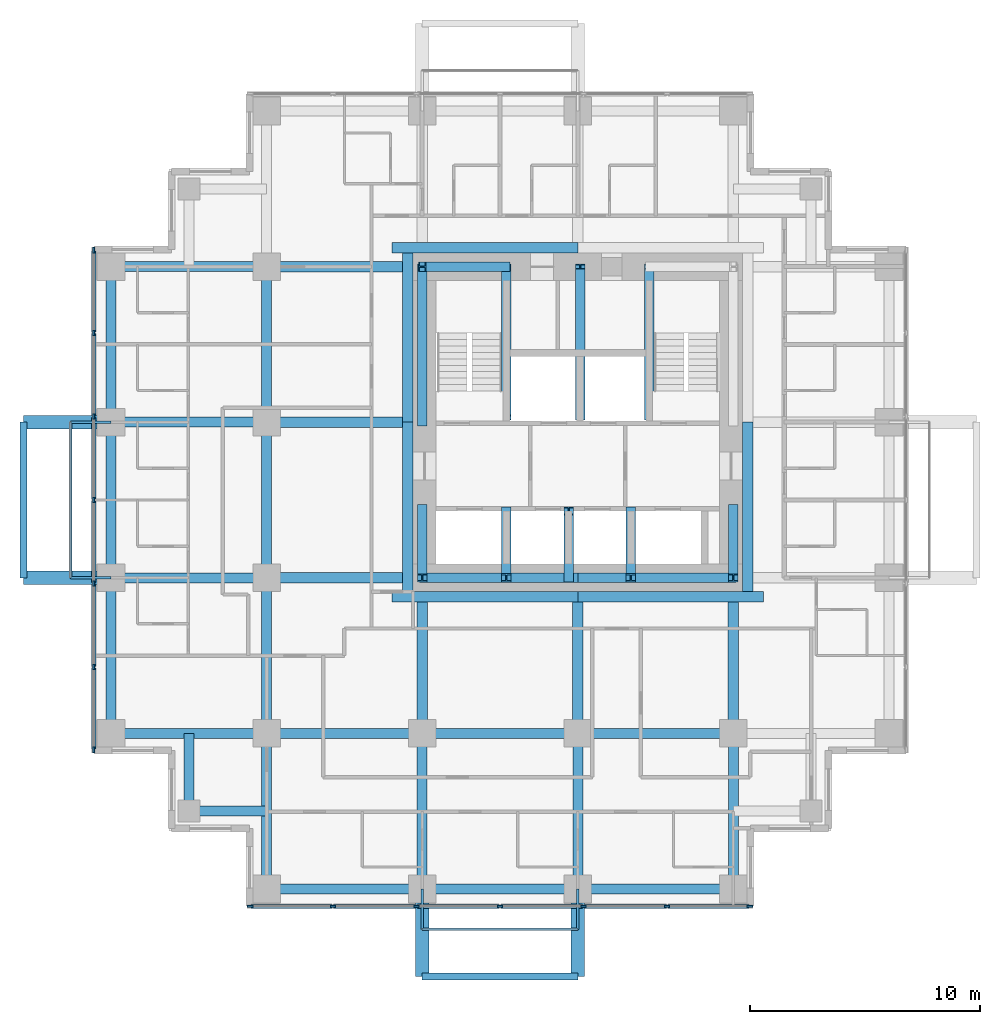
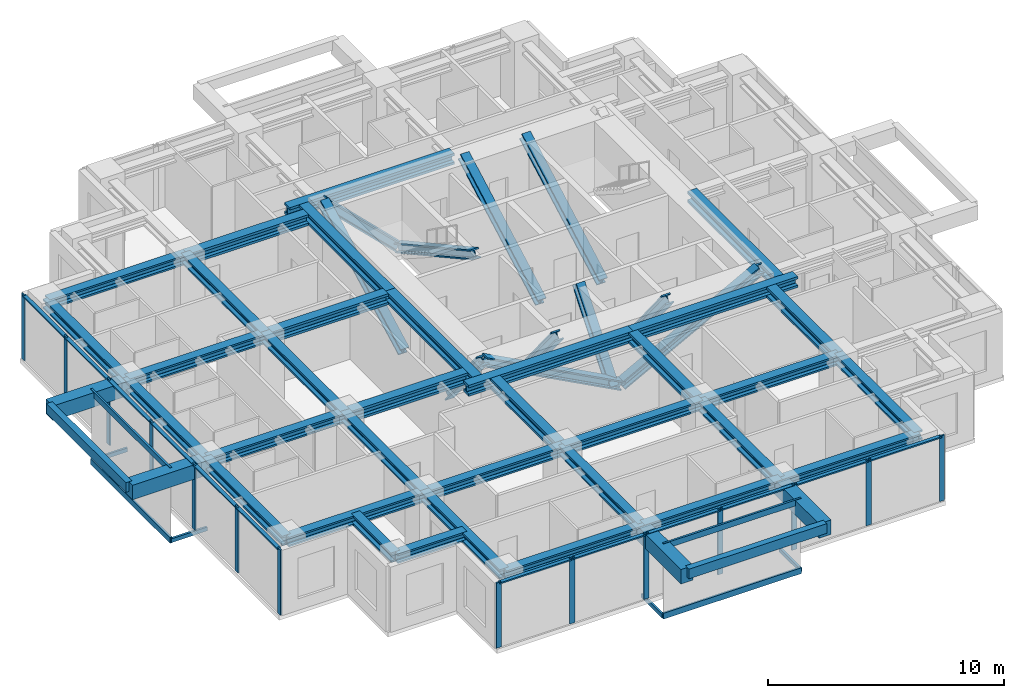
# One storey, part 2 of 10: 46 members, 40 beams, 2 elements without a shape of their own.
"""IFC4 building model written with IfcOpenShell, lengths in metres."""

from ifc_helpers import new_model, si_unit, direction, frame, origin, origin_2d, place, context, subcontext, project, spatial, rectangle, hollow_rectangle, i_section, extrude, material, material_profile, profile_set, type_object, element, aggregate, save


model = new_model("IFC4")

# Units and contexts
model_context = context("Model", 3, precision=1e-05, world=origin(), true_north=direction((0.0, 1.0)))
body_context = subcontext(model_context, "Body", "Model", "MODEL_VIEW")
ifc_project = project(units=[si_unit("LENGTHUNIT", "METRE"), si_unit("AREAUNIT", "SQUARE_METRE"), si_unit("VOLUMEUNIT", "CUBIC_METRE"), si_unit("PLANEANGLEUNIT", "RADIAN"), si_unit("MASSUNIT", "GRAM", prefix="KILO")], contexts=[model_context])

# Site, building, storey
site_placement = place(None, origin())
site = spatial("IfcSite", under=ifc_project, at=site_placement, CompositionType="ELEMENT")
building_placement = place(site_placement, origin())
building = spatial("IfcBuilding", under=site, at=building_placement, Name="Nyansa Garden Tower", CompositionType="ELEMENT")
storey_placement = place(building_placement, frame((0.0, 0.0, 181.800048828125)))
storey = spatial("IfcBuildingStorey", under=building, at=storey_placement, Name="L49", CompositionType="ELEMENT", Elevation=181.800048828125)

# Beams
ifc_material_1 = material(Name="Concrete C70/85", Category="concrete")
ifc_material_profile_1 = material_profile(ifc_material_1, rectangle(XDim=0.60009765625, YDim=0.75, at=origin_2d()), Name="RC 600x750")
ifc_profile_set_1 = profile_set([ifc_material_profile_1], Name="Concrete C70/85")
beam_type_1 = type_object("IfcBeamType", Name="Balcony cantilever beam CB1 RC 600x750", PredefinedType="BEAM", material=ifc_profile_set_1)
for number, where, z_axis, x_axis, name in (
    (1, (13.5, 0.0, 2.98486328125), (0.0, -1.0, 0.0), (1.0, 0.0, 0.0), "Balcony cantilever beam L50"),
    (2, (20.25, 0.0, 2.98486328125), (0.0, -1.0, 0.0), (1.0, 0.0, 0.0), "Balcony cantilever beam L50"),
    (3, (0.0, 13.5, 2.98486328125), (-1.0, 0.0, 0.0), (0.0, -1.0, 0.0), "Balcony cantilever beam L50"),
    (4, (0.0, 20.25, 2.98486328125), (-1.0, 0.0, 0.0), (0.0, -1.0, 0.0), "Balcony cantilever beam L50"),
):
    element("IfcBeam", number, at=place(storey_placement, frame(where, z_axis=z_axis, x_axis=x_axis)), inside=storey, type_object=beam_type_1, Name=name, PredefinedType="BEAM", context=body_context, shape_type="SweptSolid", body=[
        extrude(rectangle(XDim=0.60009765625, YDim=0.75, at=origin_2d()), origin(), (0.0, 0.0, 1.0), 3.800048828125),
    ])
ifc_material_2 = material(Name="Concrete C70/85", Category="concrete")
ifc_material_profile_2 = material_profile(ifc_material_2, rectangle(XDim=0.300048828125, YDim=0.5, at=origin_2d()), Name="RC 300x500")
ifc_profile_set_2 = profile_set([ifc_material_profile_2], Name="Concrete C70/85")
beam_type_2 = type_object("IfcBeamType", Name="Balcony edge beam BE1 RC 300x500", PredefinedType="BEAM", material=ifc_profile_set_2)
for number, where, z_axis, x_axis, name in (
    (5, (13.5, -3.800048828125, 3.10986328125), (1.0, 0.0, 0.0), (0.0, 1.0, 0.0), "Balcony edge beam L50"),
    (6, (-3.800048828125, 13.5, 3.10986328125), (0.0, 1.0, 0.0), (-1.0, 0.0, 0.0), "Balcony edge beam L50"),
):
    element("IfcBeam", number, at=place(storey_placement, frame(where, z_axis=z_axis, x_axis=x_axis)), inside=storey, type_object=beam_type_2, Name=name, PredefinedType="BEAM", context=body_context, shape_type="SweptSolid", body=[
        extrude(rectangle(XDim=0.300048828125, YDim=0.5, at=origin_2d()), origin(), (0.0, 0.0, 1.0), 6.75),
    ])

# Curtain wall, members
ifc_material_3 = material(Name="Black anodised aluminium, dark tinted double glazing", Category="aluminium")
curtain_wall_type = type_object("IfcCurtainWallType", Name="Inner skin curtain wall ISW-C", PredefinedType="USERDEFINED", material=ifc_material_3)
curtain_wall_1_placement = place(storey_placement, origin())
curtain_wall_1 = element("IfcCurtainWall", 7, at=curtain_wall_1_placement, inside=storey, type_object=curtain_wall_type, Name="Inner skin curtain wall L49 W", ObjectType="UNITISED CURTAIN WALL", PredefinedType="USERDEFINED")
ifc_material_4 = material(Name="Black anodised aluminium", Category="aluminium")
ifc_material_profile_3 = material_profile(ifc_material_4, rectangle(XDim=0.070068359375, YDim=0.25, at=origin_2d()), Name="Mullion 250x70")
ifc_profile_set_3 = profile_set([ifc_material_profile_3], Name="Black anodised aluminium")
member_type_1 = type_object("IfcMemberType", Name="Mullion ISW-C 250x70", PredefinedType="MULLION", material=ifc_profile_set_3)
member_1_placement = place(storey_placement, frame((-0.75, 27.715087890625, 0.0), z_axis=(0.0, 0.0, 1.0), x_axis=(1.0, 0.0, 0.0)))
member_1 = element("IfcMember", 8, at=member_1_placement, type_object=member_type_1, Name="ISW-C mullion 1", PredefinedType="MULLION", context=body_context, shape_type="SweptSolid", body=[
    extrude(rectangle(XDim=0.070068359375, YDim=0.25, at=origin_2d()), origin(), (0.0, 0.0, 1.0), 3.375),
])
member_2_placement = place(storey_placement, frame((-0.75, 24.125, 0.0), z_axis=(0.0, 0.0, 1.0), x_axis=(1.0, 0.0, 0.0)))
member_2 = element("IfcMember", 9, at=member_2_placement, type_object=member_type_1, Name="ISW-C mullion 2", PredefinedType="MULLION", context=body_context, shape_type="SweptSolid", body=[
    extrude(rectangle(XDim=0.070068359375, YDim=0.25, at=origin_2d()), origin(), (0.0, 0.0, 1.0), 3.375),
])
member_3_placement = place(storey_placement, frame((-0.75, 20.5, 0.0), z_axis=(0.0, 0.0, 1.0), x_axis=(1.0, 0.0, 0.0)))
member_3 = element("IfcMember", 10, at=member_3_placement, type_object=member_type_1, Name="ISW-C mullion 3", PredefinedType="MULLION", context=body_context, shape_type="SweptSolid", body=[
    extrude(rectangle(XDim=0.070068359375, YDim=0.25, at=origin_2d()), origin(), (0.0, 0.0, 1.0), 3.375),
])
member_4_placement = place(storey_placement, frame((-0.75, 16.875, 0.0), z_axis=(0.0, 0.0, 1.0), x_axis=(1.0, 0.0, 0.0)))
member_4 = element("IfcMember", 11, at=member_4_placement, type_object=member_type_1, Name="ISW-C mullion 4", PredefinedType="MULLION", context=body_context, shape_type="SweptSolid", body=[
    extrude(rectangle(XDim=0.070068359375, YDim=0.25, at=origin_2d()), origin(), (0.0, 0.0, 1.0), 3.375),
])
member_5_placement = place(storey_placement, frame((-0.75, 13.25, 0.0), z_axis=(0.0, 0.0, 1.0), x_axis=(1.0, 0.0, 0.0)))
member_5 = element("IfcMember", 12, at=member_5_placement, type_object=member_type_1, Name="ISW-C mullion 5", PredefinedType="MULLION", context=body_context, shape_type="SweptSolid", body=[
    extrude(rectangle(XDim=0.070068359375, YDim=0.25, at=origin_2d()), origin(), (0.0, 0.0, 1.0), 3.375),
])
member_6_placement = place(storey_placement, frame((-0.75, 9.625, 0.0), z_axis=(0.0, 0.0, 1.0), x_axis=(1.0, 0.0, 0.0)))
member_6 = element("IfcMember", 13, at=member_6_placement, type_object=member_type_1, Name="ISW-C mullion 6", PredefinedType="MULLION", context=body_context, shape_type="SweptSolid", body=[
    extrude(rectangle(XDim=0.070068359375, YDim=0.25, at=origin_2d()), origin(), (0.0, 0.0, 1.0), 3.375),
])
member_7_placement = place(storey_placement, frame((-0.75, 6.034912109375, 0.0), z_axis=(0.0, 0.0, 1.0), x_axis=(1.0, 0.0, 0.0)))
member_7 = element("IfcMember", 14, at=member_7_placement, type_object=member_type_1, Name="ISW-C mullion 7", PredefinedType="MULLION", context=body_context, shape_type="SweptSolid", body=[
    extrude(rectangle(XDim=0.070068359375, YDim=0.25, at=origin_2d()), origin(), (0.0, 0.0, 1.0), 3.375),
])

curtain_wall_2_placement = place(storey_placement, origin())
curtain_wall_2 = element("IfcCurtainWall", 15, at=curtain_wall_2_placement, inside=storey, type_object=curtain_wall_type, Name="Inner skin curtain wall L49 S", ObjectType="UNITISED CURTAIN WALL", PredefinedType="USERDEFINED")
member_8_placement = place(storey_placement, frame((6.034912109375, -0.75, 0.0), z_axis=(0.0, 0.0, 1.0), x_axis=(0.0, 1.0, 0.0)))
member_8 = element("IfcMember", 16, at=member_8_placement, type_object=member_type_1, Name="ISW-C mullion 1", PredefinedType="MULLION", context=body_context, shape_type="SweptSolid", body=[
    extrude(rectangle(XDim=0.070068359375, YDim=0.25, at=origin_2d()), origin(), (0.0, 0.0, 1.0), 3.375),
])
member_9_placement = place(storey_placement, frame((9.625, -0.75, 0.0), z_axis=(0.0, 0.0, 1.0), x_axis=(0.0, 1.0, 0.0)))
member_9 = element("IfcMember", 17, at=member_9_placement, type_object=member_type_1, Name="ISW-C mullion 2", PredefinedType="MULLION", context=body_context, shape_type="SweptSolid", body=[
    extrude(rectangle(XDim=0.070068359375, YDim=0.25, at=origin_2d()), origin(), (0.0, 0.0, 1.0), 3.375),
])
member_10_placement = place(storey_placement, frame((13.25, -0.75, 0.0), z_axis=(0.0, 0.0, 1.0), x_axis=(0.0, 1.0, 0.0)))
member_10 = element("IfcMember", 18, at=member_10_placement, type_object=member_type_1, Name="ISW-C mullion 3", PredefinedType="MULLION", context=body_context, shape_type="SweptSolid", body=[
    extrude(rectangle(XDim=0.070068359375, YDim=0.25, at=origin_2d()), origin(), (0.0, 0.0, 1.0), 3.375),
])
member_11_placement = place(storey_placement, frame((16.875, -0.75, 0.0), z_axis=(0.0, 0.0, 1.0), x_axis=(0.0, 1.0, 0.0)))
member_11 = element("IfcMember", 19, at=member_11_placement, type_object=member_type_1, Name="ISW-C mullion 4", PredefinedType="MULLION", context=body_context, shape_type="SweptSolid", body=[
    extrude(rectangle(XDim=0.070068359375, YDim=0.25, at=origin_2d()), origin(), (0.0, 0.0, 1.0), 3.375),
])
member_12_placement = place(storey_placement, frame((20.5, -0.75, 0.0), z_axis=(0.0, 0.0, 1.0), x_axis=(0.0, 1.0, 0.0)))
member_12 = element("IfcMember", 20, at=member_12_placement, type_object=member_type_1, Name="ISW-C mullion 5", PredefinedType="MULLION", context=body_context, shape_type="SweptSolid", body=[
    extrude(rectangle(XDim=0.070068359375, YDim=0.25, at=origin_2d()), origin(), (0.0, 0.0, 1.0), 3.375),
])
member_13_placement = place(storey_placement, frame((24.125, -0.75, 0.0), z_axis=(0.0, 0.0, 1.0), x_axis=(0.0, 1.0, 0.0)))
member_13 = element("IfcMember", 21, at=member_13_placement, type_object=member_type_1, Name="ISW-C mullion 6", PredefinedType="MULLION", context=body_context, shape_type="SweptSolid", body=[
    extrude(rectangle(XDim=0.070068359375, YDim=0.25, at=origin_2d()), origin(), (0.0, 0.0, 1.0), 3.375),
])
member_14_placement = place(storey_placement, frame((27.715087890625, -0.75, 0.0), z_axis=(0.0, 0.0, 1.0), x_axis=(0.0, 1.0, 0.0)))
member_14 = element("IfcMember", 22, at=member_14_placement, type_object=member_type_1, Name="ISW-C mullion 7", PredefinedType="MULLION", context=body_context, shape_type="SweptSolid", body=[
    extrude(rectangle(XDim=0.070068359375, YDim=0.25, at=origin_2d()), origin(), (0.0, 0.0, 1.0), 3.375),
])

# Members
ifc_material_5 = material(Name="Steel S355, black powder coated", Category="steel")
ifc_material_profile_4 = material_profile(ifc_material_5, hollow_rectangle(XDim=0.10009765625, YDim=0.199951171875, WallThickness=0.008056640625, at=origin_2d()), Name="RHS 200x100x8")
ifc_profile_set_4 = profile_set([ifc_material_profile_4], Name="Steel S355, black powder coated")
member_type_2 = type_object("IfcMemberType", Name="Outer skin bracket arm RHS 200x100x8", PredefinedType="USERDEFINED", material=ifc_profile_set_4)
for number, where, z_axis, x_axis, name in (
    (23, (0.0, 13.5, -0.375), (-1.0, 0.0, 0.0), (0.0, -1.0, 0.0), "Outer skin bracket arm"),
    (24, (0.0, 20.25, -0.375), (-1.0, 0.0, 0.0), (0.0, -1.0, 0.0), "Outer skin bracket arm"),
    (25, (13.5, 0.0, -0.375), (0.0, -1.0, 0.0), (1.0, 0.0, 0.0), "Outer skin bracket arm"),
    (26, (20.25, 0.0, -0.375), (0.0, -1.0, 0.0), (1.0, 0.0, 0.0), "Outer skin bracket arm"),
):
    element("IfcMember", number, at=place(storey_placement, frame(where, z_axis=z_axis, x_axis=x_axis)), inside=storey, type_object=member_type_2, Name=name, ObjectType="OUTER SKIN BRACKET", PredefinedType="USERDEFINED", context=body_context, shape_type="SweptSolid", body=[
        extrude(hollow_rectangle(XDim=0.10009765625, YDim=0.199951171875, WallThickness=0.008056640625, at=origin_2d()), origin(), (0.0, 0.0, 1.0), 1.75),
    ])
ifc_material_6 = material(Name="Steel S355, black powder coated", Category="steel")
ifc_material_profile_5 = material_profile(ifc_material_6, hollow_rectangle(XDim=0.10009765625, YDim=0.300048828125, WallThickness=0.010009765625, at=origin_2d()), Name="RHS 300x100x10")
ifc_profile_set_5 = profile_set([ifc_material_profile_5], Name="Steel S355, black powder coated")
member_type_3 = type_object("IfcMemberType", Name="Outer skin rail RHS 300x100x10", PredefinedType="USERDEFINED", material=ifc_profile_set_5)
for number, where, z_axis, x_axis, name in (
    (27, (-1.75, 13.5, -0.375), (0.0, 1.0, 0.0), (-1.0, 0.0, 0.0), "Outer skin rail L49"),
    (28, (-1.75, 13.5, 3.224853515625), (0.0, 1.0, 0.0), (-1.0, 0.0, 0.0), "Outer skin rail L49 head"),
    (29, (13.5, -1.75, -0.375), (1.0, 0.0, 0.0), (0.0, 1.0, 0.0), "Outer skin rail L49"),
    (30, (13.5, -1.75, 3.224853515625), (1.0, 0.0, 0.0), (0.0, 1.0, 0.0), "Outer skin rail L49 head"),
):
    element("IfcMember", number, at=place(storey_placement, frame(where, z_axis=z_axis, x_axis=x_axis)), inside=storey, type_object=member_type_3, Name=name, ObjectType="OUTER SKIN RAIL", PredefinedType="USERDEFINED", context=body_context, shape_type="SweptSolid", body=[
        extrude(hollow_rectangle(XDim=0.10009765625, YDim=0.300048828125, WallThickness=0.010009765625, at=origin_2d()), origin(), (0.0, 0.0, 1.0), 6.75),
    ])
ifc_material_7 = material(Name="Steel S355", Category="steel")
ifc_material_profile_6 = material_profile(ifc_material_7, i_section(OverallWidth=0.41796875, OverallDepth=0.455078125, WebThickness=0.0419921875, FlangeThickness=0.067626953125, FilletRadius=0.014892578125, at=origin_2d()), Name="HD 400x463")
ifc_profile_set_6 = profile_set([ifc_material_profile_6], Name="Steel S355")
member_type_4 = type_object("IfcMemberType", Name="Perimeter brace heavy HD 400x463", PredefinedType="BRACE", material=ifc_profile_set_6)
for number, where, z_axis, x_axis, name in (
    (31, (20.25, 13.5, 0.0), (-0.882360891967, 0.0, 0.470573327259), (0.0, -1.0, 0.0), "Core brace CS1 L49"),
    (32, (20.25, 13.5, 0.0), (0.882360891967, 0.0, 0.470573327259), (0.0, 1.0, 0.0), "Core brace CS2 L49"),
):
    element("IfcMember", number, at=place(storey_placement, frame(where, z_axis=z_axis, x_axis=x_axis)), inside=storey, type_object=member_type_4, Name=name, PredefinedType="BRACE", context=body_context, shape_type="SweptSolid", body=[
        extrude(i_section(OverallWidth=0.41796875, OverallDepth=0.455078125, WebThickness=0.0419921875, FlangeThickness=0.067626953125, FilletRadius=0.014892578125, at=origin_2d()), origin(), (0.0, 0.0, 1.0), 7.64990234375),
    ])
member_15_placement = place(storey_placement, frame((17.14990234375, 27.0, 0.0), z_axis=(-0.711971340796, 0.0, 0.702208523079), x_axis=(0.0, -1.0, 0.0)))
element("IfcMember", 33, at=member_15_placement, inside=storey, type_object=member_type_4, Name="Core brace CN3 L49", PredefinedType="BRACE", context=body_context, shape_type="SweptSolid", body=[
    extrude(i_section(OverallWidth=0.41796875, OverallDepth=0.455078125, WebThickness=0.0419921875, FlangeThickness=0.067626953125, FilletRadius=0.014892578125, at=origin_2d()), origin(), (0.0, 0.0, 1.0), 5.12646484375),
])
member_16_placement = place(storey_placement, frame((13.5, 16.5, 0.0), z_axis=(0.0, -0.640199773186, 0.768208468069), x_axis=(1.0, 0.0, 0.0)))
element("IfcMember", 34, at=member_16_placement, inside=storey, type_object=member_type_4, Name="Core brace CW5 L49", PredefinedType="BRACE", context=body_context, shape_type="SweptSolid", body=[
    extrude(i_section(OverallWidth=0.41796875, OverallDepth=0.455078125, WebThickness=0.0419921875, FlangeThickness=0.067626953125, FilletRadius=0.014892578125, at=origin_2d()), origin(), (0.0, 0.0, 1.0), 4.68603515625),
])
member_17_placement = place(storey_placement, frame((13.5, 20.199951171875, 0.0), z_axis=(0.0, 0.883797178129, 0.467870225524), x_axis=(-1.0, 0.0, 0.0)))
element("IfcMember", 35, at=member_17_placement, inside=storey, type_object=member_type_4, Name="Core brace CW6 L49", PredefinedType="BRACE", context=body_context, shape_type="SweptSolid", body=[
    extrude(i_section(OverallWidth=0.41796875, OverallDepth=0.455078125, WebThickness=0.0419921875, FlangeThickness=0.067626953125, FilletRadius=0.014892578125, at=origin_2d()), origin(), (0.0, 0.0, 1.0), 7.694091796875),
])
member_18_placement = place(storey_placement, frame((27.0, 16.5, 0.0), z_axis=(0.0, -0.640199773186, 0.768208468069), x_axis=(1.0, 0.0, 0.0)))
element("IfcMember", 36, at=member_18_placement, inside=storey, type_object=member_type_4, Name="Core brace CE7 L49", PredefinedType="BRACE", context=body_context, shape_type="SweptSolid", body=[
    extrude(i_section(OverallWidth=0.41796875, OverallDepth=0.455078125, WebThickness=0.0419921875, FlangeThickness=0.067626953125, FilletRadius=0.014892578125, at=origin_2d()), origin(), (0.0, 0.0, 1.0), 4.68603515625),
])
for number, where, z_axis, x_axis, name in (
    (37, (17.14990234375, 27.0, 0.0), (0.0, -0.876366901673, 0.481644115143), (1.0, 0.0, 0.0), "Core brace CWS9 L49"),
    (38, (23.35009765625, 20.449951171875, 0.0), (0.0, 0.876366901673, 0.481644115143), (-1.0, 0.0, 0.0), "Core brace CES10 L49"),
):
    element("IfcMember", number, at=place(storey_placement, frame(where, z_axis=z_axis, x_axis=x_axis)), inside=storey, type_object=member_type_4, Name=name, PredefinedType="BRACE", context=body_context, shape_type="SweptSolid", body=[
        extrude(i_section(OverallWidth=0.41796875, OverallDepth=0.455078125, WebThickness=0.0419921875, FlangeThickness=0.067626953125, FilletRadius=0.014892578125, at=origin_2d()), origin(), (0.0, 0.0, 1.0), 7.47412109375),
    ])
for number, where, z_axis, x_axis, name in (
    (39, (17.14990234375, 16.39990234375, 0.0), (0.0, -0.627332207022, 0.778751758928), (1.0, 0.0, 0.0), "Core brace CSW11 L49"),
    (40, (19.85009765625, 13.5, 0.0), (0.0, 0.627332207022, 0.778751758928), (-1.0, 0.0, 0.0), "Core brace CSW12 L49"),
    (41, (22.550048828125, 16.39990234375, 0.0), (0.0, -0.627332207022, 0.778751758928), (1.0, 0.0, 0.0), "Core brace CSW13 L49"),
):
    element("IfcMember", number, at=place(storey_placement, frame(where, z_axis=z_axis, x_axis=x_axis)), inside=storey, type_object=member_type_4, Name=name, PredefinedType="BRACE", context=body_context, shape_type="SweptSolid", body=[
        extrude(i_section(OverallWidth=0.41796875, OverallDepth=0.455078125, WebThickness=0.0419921875, FlangeThickness=0.067626953125, FilletRadius=0.014892578125, at=origin_2d()), origin(), (0.0, 0.0, 1.0), 4.62255859375),
    ])
member_19_placement = place(storey_placement, frame((20.35009765625, 20.449951171875, 0.0), z_axis=(0.0, 0.876366901673, 0.481644115143), x_axis=(-1.0, 0.0, 0.0)))
element("IfcMember", 42, at=member_19_placement, inside=storey, type_object=member_type_4, Name="Core brace CNW14 L49", PredefinedType="BRACE", context=body_context, shape_type="SweptSolid", body=[
    extrude(i_section(OverallWidth=0.41796875, OverallDepth=0.455078125, WebThickness=0.0419921875, FlangeThickness=0.067626953125, FilletRadius=0.014892578125, at=origin_2d()), origin(), (0.0, 0.0, 1.0), 7.47412109375),
])

# Beams
ifc_material_8 = material(Name="Steel S355", Category="steel")
ifc_material_profile_7 = material_profile(ifc_material_8, i_section(OverallWidth=0.431884765625, OverallDepth=0.498046875, WebThickness=0.0556640625, FlangeThickness=0.0888671875, FilletRadius=0.014892578125, at=origin_2d()), Name="HD 400x744")
ifc_profile_set_7 = profile_set([ifc_material_profile_7], Name="Steel S355")
beam_type_3 = type_object("IfcBeamType", Name="Steel beam SBC1-744 HD 400x744", PredefinedType="BEAM", material=ifc_profile_set_7)
for number, where, z_axis, x_axis, name in (
    (43, (0.0, 6.75, 3.1259765625), (1.0, 0.0, 0.0), (0.0, 1.0, 0.0), "Steel beam 2/E-3/E L50"),
    (44, (0.0, 13.5, 3.1259765625), (1.0, 0.0, 0.0), (0.0, 1.0, 0.0), "Steel beam 2/F-3/F L50"),
    (45, (0.0, 20.25, 3.1259765625), (1.0, 0.0, 0.0), (0.0, 1.0, 0.0), "Steel beam 2/G-3/G L50"),
    (46, (0.0, 27.0, 3.1259765625), (1.0, 0.0, 0.0), (0.0, 1.0, 0.0), "Steel beam 2/H-3/H L50"),
    (47, (6.75, 0.0, 3.1259765625), (0.0, 1.0, 0.0), (-1.0, 0.0, 0.0), "Steel beam 3/D-3/E L50"),
    (48, (6.75, 6.75, 3.1259765625), (0.0, 1.0, 0.0), (-1.0, 0.0, 0.0), "Steel beam 3/E-3/F L50"),
    (49, (6.75, 6.75, 3.1259765625), (1.0, 0.0, 0.0), (0.0, 1.0, 0.0), "Steel beam 3/E-4/E L50"),
    (50, (6.75, 13.5, 3.1259765625), (0.0, 1.0, 0.0), (-1.0, 0.0, 0.0), "Steel beam 3/F-3/G L50"),
    (51, (6.75, 20.25, 3.1259765625), (0.0, 1.0, 0.0), (-1.0, 0.0, 0.0), "Steel beam 3/G-3/H L50"),
    (52, (13.5, 0.0, 3.1259765625), (0.0, 1.0, 0.0), (-1.0, 0.0, 0.0), "Steel beam 4/D-4/E L50"),
    (53, (13.5, 6.75, 3.1259765625), (1.0, 0.0, 0.0), (0.0, 1.0, 0.0), "Steel beam 4/E-5/E L50"),
    (54, (20.25, 0.0, 3.1259765625), (0.0, 1.0, 0.0), (-1.0, 0.0, 0.0), "Steel beam 5/D-5/E L50"),
    (55, (20.25, 6.75, 3.1259765625), (1.0, 0.0, 0.0), (0.0, 1.0, 0.0), "Steel beam 5/E-6/E L50"),
    (56, (27.0, 0.0, 3.1259765625), (0.0, 1.0, 0.0), (-1.0, 0.0, 0.0), "Steel beam 6/D-6/E L50"),
):
    element("IfcBeam", number, at=place(storey_placement, frame(where, z_axis=z_axis, x_axis=x_axis)), inside=storey, type_object=beam_type_3, Name=name, PredefinedType="BEAM", context=body_context, shape_type="SweptSolid", body=[
        extrude(i_section(OverallWidth=0.431884765625, OverallDepth=0.498046875, WebThickness=0.0556640625, FlangeThickness=0.0888671875, FilletRadius=0.014892578125, at=origin_2d()), origin(), (0.0, 0.0, 1.0), 6.75),
    ])
ifc_material_9 = material(Name="Steel S355", Category="steel")
ifc_material_profile_8 = material_profile(ifc_material_9, i_section(OverallWidth=0.4541015625, OverallDepth=0.569091796875, WebThickness=0.077880859375, FlangeThickness=0.125, FilletRadius=0.014892578125, at=origin_2d()), Name="HD 400x1086")
ifc_profile_set_8 = profile_set([ifc_material_profile_8], Name="Steel S355")
beam_type_4 = type_object("IfcBeamType", Name="Steel beam SCL-1086 HD 400x1086", PredefinedType="BEAM", material=ifc_profile_set_8)
for number, where, z_axis, x_axis, name in (
    (57, (6.75, 13.5, 3.09033203125), (1.0, 0.0, 0.0), (0.0, 1.0, 0.0), "Steel beam 3/F-12.650/F L50"),
    (58, (6.75, 20.25, 3.09033203125), (1.0, 0.0, 0.0), (0.0, 1.0, 0.0), "Steel beam 3/G-12.650/G L50"),
    (59, (6.75, 27.0, 3.09033203125), (1.0, 0.0, 0.0), (0.0, 1.0, 0.0), "Steel beam 3/H-12.650/H L50"),
):
    element("IfcBeam", number, at=place(storey_placement, frame(where, z_axis=z_axis, x_axis=x_axis)), inside=storey, type_object=beam_type_4, Name=name, PredefinedType="BEAM", context=body_context, shape_type="SweptSolid", body=[
        extrude(i_section(OverallWidth=0.4541015625, OverallDepth=0.569091796875, WebThickness=0.077880859375, FlangeThickness=0.125, FilletRadius=0.014892578125, at=origin_2d()), origin(), (0.0, 0.0, 1.0), 5.89990234375),
    ])
for number, where, z_axis, x_axis, name in (
    (60, (13.5, 6.75, 3.09033203125), (0.0, 1.0, 0.0), (-1.0, 0.0, 0.0), "Steel beam 4/E-4/12.450 L50"),
    (61, (20.25, 6.75, 3.09033203125), (0.0, 1.0, 0.0), (-1.0, 0.0, 0.0), "Steel beam 5/E-5/12.450 L50"),
    (62, (27.0, 6.75, 3.09033203125), (0.0, 1.0, 0.0), (-1.0, 0.0, 0.0), "Steel beam 6/E-6/12.450 L50"),
):
    element("IfcBeam", number, at=place(storey_placement, frame(where, z_axis=z_axis, x_axis=x_axis)), inside=storey, type_object=beam_type_4, Name=name, PredefinedType="BEAM", context=body_context, shape_type="SweptSolid", body=[
        extrude(i_section(OverallWidth=0.4541015625, OverallDepth=0.569091796875, WebThickness=0.077880859375, FlangeThickness=0.125, FilletRadius=0.014892578125, at=origin_2d()), origin(), (0.0, 0.0, 1.0), 5.699951171875),
    ])
for number, where, z_axis, x_axis, name in (
    (63, (12.199951171875, 12.673095703125, 3.09033203125), (1.0, 0.0, 0.0), (0.0, 1.0, 0.0), "Steel core ledger beam S.1 L50"),
    (64, (20.25, 12.673095703125, 3.09033203125), (1.0, 0.0, 0.0), (0.0, 1.0, 0.0), "Steel core ledger beam S.2 L50"),
):
    element("IfcBeam", number, at=place(storey_placement, frame(where, z_axis=z_axis, x_axis=x_axis)), inside=storey, type_object=beam_type_4, Name=name, PredefinedType="BEAM", context=body_context, shape_type="SweptSolid", body=[
        extrude(i_section(OverallWidth=0.4541015625, OverallDepth=0.569091796875, WebThickness=0.077880859375, FlangeThickness=0.125, FilletRadius=0.014892578125, at=origin_2d()), origin(), (0.0, 0.0, 1.0), 8.050048828125),
    ])
beam_1_placement = place(storey_placement, frame((27.626953125, 12.89990234375, 3.09033203125), z_axis=(0.0, 1.0, 0.0), x_axis=(-1.0, 0.0, 0.0)))
element("IfcBeam", 65, at=beam_1_placement, inside=storey, type_object=beam_type_4, Name="Steel core ledger beam E.1 L50", PredefinedType="BEAM", context=body_context, shape_type="SweptSolid", body=[
    extrude(i_section(OverallWidth=0.4541015625, OverallDepth=0.569091796875, WebThickness=0.077880859375, FlangeThickness=0.125, FilletRadius=0.014892578125, at=origin_2d()), origin(), (0.0, 0.0, 1.0), 7.35009765625),
])
beam_2_placement = place(storey_placement, frame((20.25, 27.826904296875, 3.09033203125), z_axis=(-1.0, 0.0, 0.0), x_axis=(0.0, -1.0, 0.0)))
element("IfcBeam", 66, at=beam_2_placement, inside=storey, type_object=beam_type_4, Name="Steel core ledger beam N.2 L50", PredefinedType="BEAM", context=body_context, shape_type="SweptSolid", body=[
    extrude(i_section(OverallWidth=0.4541015625, OverallDepth=0.569091796875, WebThickness=0.077880859375, FlangeThickness=0.125, FilletRadius=0.014892578125, at=origin_2d()), origin(), (0.0, 0.0, 1.0), 8.050048828125),
])
for number, where, z_axis, x_axis, name in (
    (67, (12.873046875, 27.60009765625, 3.09033203125), (0.0, -1.0, 0.0), (1.0, 0.0, 0.0), "Steel core ledger beam W.1 L50"),
    (68, (12.873046875, 20.25, 3.09033203125), (0.0, -1.0, 0.0), (1.0, 0.0, 0.0), "Steel core ledger beam W.2 L50"),
):
    element("IfcBeam", number, at=place(storey_placement, frame(where, z_axis=z_axis, x_axis=x_axis)), inside=storey, type_object=beam_type_4, Name=name, PredefinedType="BEAM", context=body_context, shape_type="SweptSolid", body=[
        extrude(i_section(OverallWidth=0.4541015625, OverallDepth=0.569091796875, WebThickness=0.077880859375, FlangeThickness=0.125, FilletRadius=0.014892578125, at=origin_2d()), origin(), (0.0, 0.0, 1.0), 7.35009765625),
    ])
ifc_material_10 = material(Name="Steel S355", Category="steel")
ifc_material_profile_9 = material_profile(ifc_material_10, i_section(OverallWidth=0.431884765625, OverallDepth=0.498046875, WebThickness=0.0556640625, FlangeThickness=0.0888671875, FilletRadius=0.014892578125, at=origin_2d()), Name="HD 400x744")
ifc_profile_set_9 = profile_set([ifc_material_profile_9], Name="Steel S355")
beam_type_5 = type_object("IfcBeamType", Name="Steel beam SEBC-744 HD 400x744", PredefinedType="BEAM", material=ifc_profile_set_9)
for number, where, z_axis, x_axis, name in (
    (69, (0.0, 6.75, 3.1259765625), (0.0, 1.0, 0.0), (-1.0, 0.0, 0.0), "Steel edge beam 2/E-2/F L50"),
    (70, (0.0, 13.5, 3.1259765625), (0.0, 1.0, 0.0), (-1.0, 0.0, 0.0), "Steel edge beam 2/F-2/G L50"),
    (71, (0.0, 20.25, 3.1259765625), (0.0, 1.0, 0.0), (-1.0, 0.0, 0.0), "Steel edge beam 2/G-2/H L50"),
    (72, (6.75, 0.0, 3.1259765625), (1.0, 0.0, 0.0), (0.0, 1.0, 0.0), "Steel edge beam 3/D-4/D L50"),
    (73, (13.5, 0.0, 3.1259765625), (1.0, 0.0, 0.0), (0.0, 1.0, 0.0), "Steel edge beam 4/D-5/D L50"),
    (74, (20.25, 0.0, 3.1259765625), (1.0, 0.0, 0.0), (0.0, 1.0, 0.0), "Steel edge beam 5/D-6/D L50"),
):
    element("IfcBeam", number, at=place(storey_placement, frame(where, z_axis=z_axis, x_axis=x_axis)), inside=storey, type_object=beam_type_5, Name=name, PredefinedType="BEAM", context=body_context, shape_type="SweptSolid", body=[
        extrude(i_section(OverallWidth=0.431884765625, OverallDepth=0.498046875, WebThickness=0.0556640625, FlangeThickness=0.0888671875, FilletRadius=0.014892578125, at=origin_2d()), origin(), (0.0, 0.0, 1.0), 6.75),
    ])
ifc_material_11 = material(Name="Steel S355", Category="steel")
ifc_material_profile_10 = material_profile(ifc_material_11, i_section(OverallWidth=0.431884765625, OverallDepth=0.498046875, WebThickness=0.0556640625, FlangeThickness=0.0888671875, FilletRadius=0.014892578125, at=origin_2d()), Name="HD 400x744")
ifc_profile_set_10 = profile_set([ifc_material_profile_10], Name="Steel S355")
beam_type_6 = type_object("IfcBeamType", Name="Steel beam SSB1-744 HD 400x744", PredefinedType="BEAM", material=ifc_profile_set_10)
for number, where, z_axis, x_axis, name in (
    (75, (3.375, 3.375, 3.1259765625), (0.0, 1.0, 0.0), (-1.0, 0.0, 0.0), "Steel step beam 3.375/3.375 L50"),
    (76, (3.375, 3.375, 3.1259765625), (1.0, 0.0, 0.0), (0.0, 1.0, 0.0), "Steel step beam 3.375/3.375 L50"),
):
    element("IfcBeam", number, at=place(storey_placement, frame(where, z_axis=z_axis, x_axis=x_axis)), inside=storey, type_object=beam_type_6, Name=name, PredefinedType="BEAM", context=body_context, shape_type="SweptSolid", body=[
        extrude(i_section(OverallWidth=0.431884765625, OverallDepth=0.498046875, WebThickness=0.0556640625, FlangeThickness=0.0888671875, FilletRadius=0.014892578125, at=origin_2d()), origin(), (0.0, 0.0, 1.0), 3.375),
    ])

# Member
ifc_material_12 = material(Name="Black anodised aluminium", Category="aluminium")
ifc_material_profile_11 = material_profile(ifc_material_12, rectangle(XDim=0.179931640625, YDim=0.070068359375, at=origin_2d()), Name="Transom 180x70")
ifc_profile_set_11 = profile_set([ifc_material_profile_11], Name="Black anodised aluminium")
member_type_5 = type_object("IfcMemberType", Name="Transom ISW-C 180x70", PredefinedType="USERDEFINED", material=ifc_profile_set_11)
member_20_placement = place(storey_placement, frame((-0.75, 27.679931640625, 3.33984375), z_axis=(0.0, -1.0, 0.0), x_axis=(1.0, 0.0, 0.0)))
member_20 = element("IfcMember", 77, at=member_20_placement, type_object=member_type_5, Name="ISW-C transom 1", ObjectType="TRANSOM", PredefinedType="USERDEFINED", context=body_context, shape_type="SweptSolid", body=[
    extrude(rectangle(XDim=0.179931640625, YDim=0.070068359375, at=origin_2d()), origin(), (0.0, 0.0, 1.0), 3.52001953125),
])

member_21_placement = place(storey_placement, frame((-0.75, 24.090087890625, 3.33984375), z_axis=(0.0, -1.0, 0.0), x_axis=(1.0, 0.0, 0.0)))
member_21 = element("IfcMember", 78, at=member_21_placement, type_object=member_type_5, Name="ISW-C transom 2", ObjectType="TRANSOM", PredefinedType="USERDEFINED", context=body_context, shape_type="SweptSolid", body=[
    extrude(rectangle(XDim=0.179931640625, YDim=0.070068359375, at=origin_2d()), origin(), (0.0, 0.0, 1.0), 3.55517578125),
])

member_22_placement = place(storey_placement, frame((-0.75, 20.465087890625, 3.33984375), z_axis=(0.0, -1.0, 0.0), x_axis=(1.0, 0.0, 0.0)))
member_22 = element("IfcMember", 79, at=member_22_placement, type_object=member_type_5, Name="ISW-C transom 3", ObjectType="TRANSOM", PredefinedType="USERDEFINED", context=body_context, shape_type="SweptSolid", body=[
    extrude(rectangle(XDim=0.179931640625, YDim=0.070068359375, at=origin_2d()), origin(), (0.0, 0.0, 1.0), 3.55517578125),
])

member_23_placement = place(storey_placement, frame((-0.75, 16.840087890625, 3.33984375), z_axis=(0.0, -1.0, 0.0), x_axis=(1.0, 0.0, 0.0)))
member_23 = element("IfcMember", 80, at=member_23_placement, type_object=member_type_5, Name="ISW-C transom 4", ObjectType="TRANSOM", PredefinedType="USERDEFINED", context=body_context, shape_type="SweptSolid", body=[
    extrude(rectangle(XDim=0.179931640625, YDim=0.070068359375, at=origin_2d()), origin(), (0.0, 0.0, 1.0), 3.55517578125),
])

member_24_placement = place(storey_placement, frame((-0.75, 13.215087890625, 3.33984375), z_axis=(0.0, -1.0, 0.0), x_axis=(1.0, 0.0, 0.0)))
member_24 = element("IfcMember", 81, at=member_24_placement, type_object=member_type_5, Name="ISW-C transom 5", ObjectType="TRANSOM", PredefinedType="USERDEFINED", context=body_context, shape_type="SweptSolid", body=[
    extrude(rectangle(XDim=0.179931640625, YDim=0.070068359375, at=origin_2d()), origin(), (0.0, 0.0, 1.0), 3.55517578125),
])

member_25_placement = place(storey_placement, frame((-0.75, 9.590087890625, 3.33984375), z_axis=(0.0, -1.0, 0.0), x_axis=(1.0, 0.0, 0.0)))
member_25 = element("IfcMember", 82, at=member_25_placement, type_object=member_type_5, Name="ISW-C transom 6", ObjectType="TRANSOM", PredefinedType="USERDEFINED", context=body_context, shape_type="SweptSolid", body=[
    extrude(rectangle(XDim=0.179931640625, YDim=0.070068359375, at=origin_2d()), origin(), (0.0, 0.0, 1.0), 3.52001953125),
])

aggregate(curtain_wall_1, [member_1, member_2, member_3, member_4, member_5, member_6, member_7, member_20, member_21, member_22, member_23, member_24, member_25])

member_26_placement = place(storey_placement, frame((6.070068359375, -0.75, 3.33984375), z_axis=(1.0, 0.0, 0.0), x_axis=(0.0, 1.0, 0.0)))
member_26 = element("IfcMember", 83, at=member_26_placement, type_object=member_type_5, Name="ISW-C transom 1", ObjectType="TRANSOM", PredefinedType="USERDEFINED", context=body_context, shape_type="SweptSolid", body=[
    extrude(rectangle(XDim=0.179931640625, YDim=0.070068359375, at=origin_2d()), origin(), (0.0, 0.0, 1.0), 3.52001953125),
])

member_27_placement = place(storey_placement, frame((9.659912109375, -0.75, 3.33984375), z_axis=(1.0, 0.0, 0.0), x_axis=(0.0, 1.0, 0.0)))
member_27 = element("IfcMember", 84, at=member_27_placement, type_object=member_type_5, Name="ISW-C transom 2", ObjectType="TRANSOM", PredefinedType="USERDEFINED", context=body_context, shape_type="SweptSolid", body=[
    extrude(rectangle(XDim=0.179931640625, YDim=0.070068359375, at=origin_2d()), origin(), (0.0, 0.0, 1.0), 3.55517578125),
])

member_28_placement = place(storey_placement, frame((13.284912109375, -0.75, 3.33984375), z_axis=(1.0, 0.0, 0.0), x_axis=(0.0, 1.0, 0.0)))
member_28 = element("IfcMember", 85, at=member_28_placement, type_object=member_type_5, Name="ISW-C transom 3", ObjectType="TRANSOM", PredefinedType="USERDEFINED", context=body_context, shape_type="SweptSolid", body=[
    extrude(rectangle(XDim=0.179931640625, YDim=0.070068359375, at=origin_2d()), origin(), (0.0, 0.0, 1.0), 3.55517578125),
])

member_29_placement = place(storey_placement, frame((16.909912109375, -0.75, 3.33984375), z_axis=(1.0, 0.0, 0.0), x_axis=(0.0, 1.0, 0.0)))
member_29 = element("IfcMember", 86, at=member_29_placement, type_object=member_type_5, Name="ISW-C transom 4", ObjectType="TRANSOM", PredefinedType="USERDEFINED", context=body_context, shape_type="SweptSolid", body=[
    extrude(rectangle(XDim=0.179931640625, YDim=0.070068359375, at=origin_2d()), origin(), (0.0, 0.0, 1.0), 3.55517578125),
])

member_30_placement = place(storey_placement, frame((20.534912109375, -0.75, 3.33984375), z_axis=(1.0, 0.0, 0.0), x_axis=(0.0, 1.0, 0.0)))
member_30 = element("IfcMember", 87, at=member_30_placement, type_object=member_type_5, Name="ISW-C transom 5", ObjectType="TRANSOM", PredefinedType="USERDEFINED", context=body_context, shape_type="SweptSolid", body=[
    extrude(rectangle(XDim=0.179931640625, YDim=0.070068359375, at=origin_2d()), origin(), (0.0, 0.0, 1.0), 3.55517578125),
])

member_31_placement = place(storey_placement, frame((24.159912109375, -0.75, 3.33984375), z_axis=(1.0, 0.0, 0.0), x_axis=(0.0, 1.0, 0.0)))
member_31 = element("IfcMember", 88, at=member_31_placement, type_object=member_type_5, Name="ISW-C transom 6", ObjectType="TRANSOM", PredefinedType="USERDEFINED", context=body_context, shape_type="SweptSolid", body=[
    extrude(rectangle(XDim=0.179931640625, YDim=0.070068359375, at=origin_2d()), origin(), (0.0, 0.0, 1.0), 3.52001953125),
])

aggregate(curtain_wall_2, [member_8, member_9, member_10, member_11, member_12, member_13, member_14, member_26, member_27, member_28, member_29, member_30, member_31])

save(model, "model.ifc")
